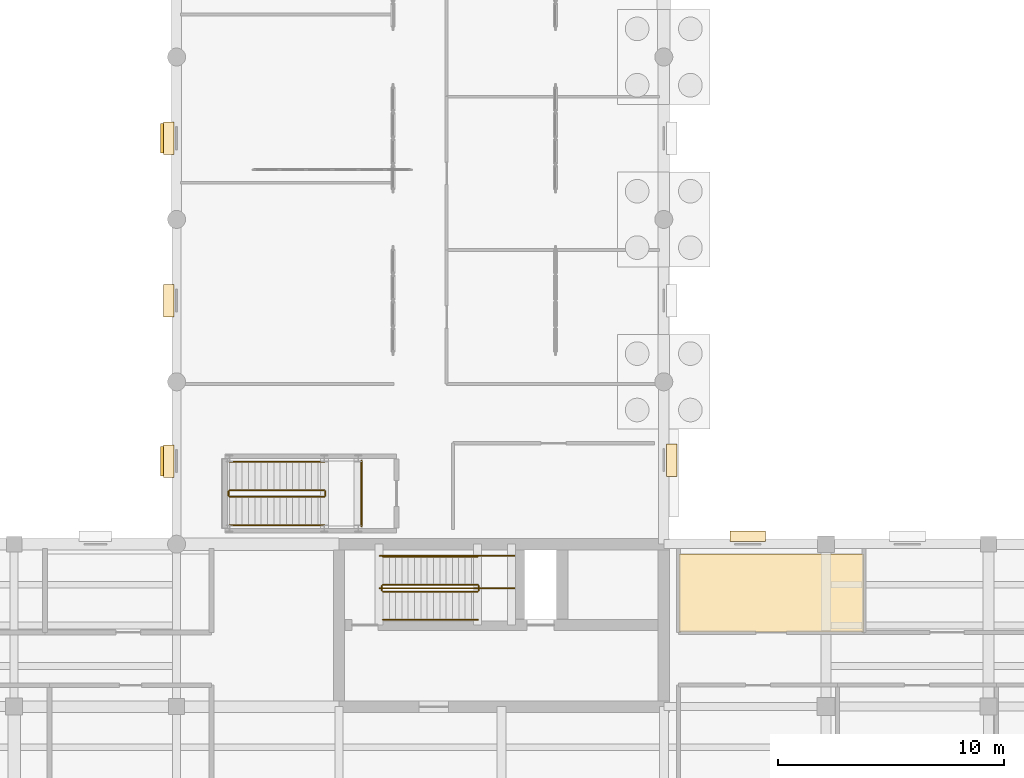
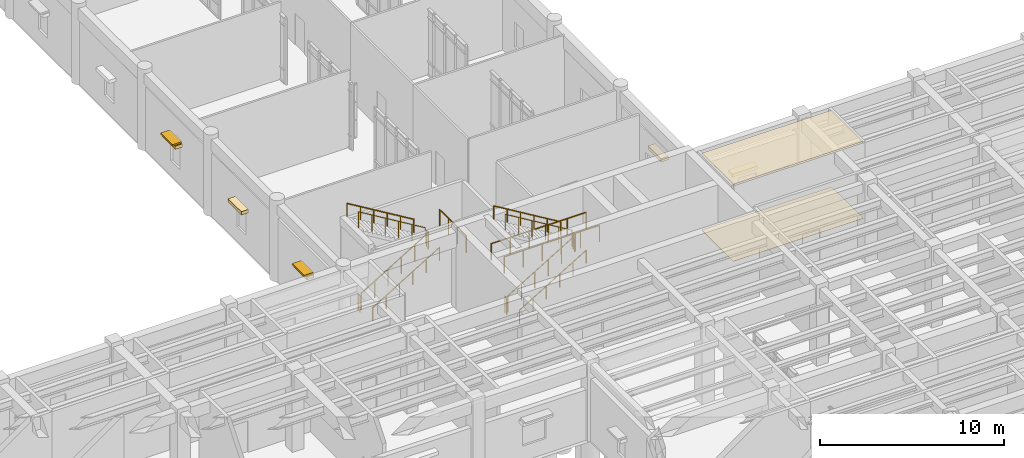
# One storey, part 91 of 100: 15 railings, 7 coverings, 2 shading devices.
"""IFC4 building model written with IfcOpenShell, lengths in metres."""

from ifc_helpers import new_model, si_unit, direction, frame, origin, origin_2d, place, context, subcontext, project, spatial, polyline, rectangle, circle, outline, extrude, material, layer, layer_set, type_object, element, save


model = new_model("IFC4")

# Units and contexts
model_context = context("Model", 3, precision=1e-05, world=origin(), true_north=direction((0.0, 1.0)))
body_context = subcontext(model_context, "Body", "Model", "MODEL_VIEW")
ifc_project = project(units=[si_unit("LENGTHUNIT", "METRE"), si_unit("AREAUNIT", "SQUARE_METRE"), si_unit("VOLUMEUNIT", "CUBIC_METRE"), si_unit("PLANEANGLEUNIT", "RADIAN"), si_unit("MASSUNIT", "GRAM", prefix="KILO")], contexts=[model_context])

# Site, building, storey
site_placement = place(None, origin())
site = spatial("IfcSite", under=ifc_project, at=site_placement, CompositionType="ELEMENT")
building_placement = place(site_placement, origin())
building = spatial("IfcBuilding", under=site, at=building_placement, Name="Mithqara Police Headquarters", CompositionType="ELEMENT")
storey_placement = place(building_placement, origin())
storey = spatial("IfcBuildingStorey", under=building, at=storey_placement, Name="L00", CompositionType="ELEMENT", Elevation=0.0)

# Covering
ifc_material_1 = material(Name="Acoustic mineral-fibre ceiling tile", Category="gypsum")
ifc_layer_1 = layer(ifc_material_1, 0.02490234375, Name="Acoustic mineral-fibre ceiling tile")
ifc_layer_set_1 = layer_set([ifc_layer_1], Name="Acoustic mineral-fibre ceiling tile")
covering_type_1 = type_object("IfcCoveringType", Name="ACOUSTIC CEILING TILE", PredefinedType="CEILING", material=ifc_layer_set_1)
covering_1_placement = place(storey_placement, frame((0.0, 0.0, 5.094970703125)))
element("IfcCovering", 1, at=covering_1_placement, inside=storey, type_object=covering_type_1, Name="Victim Support Consultation Room Acoustic Ceiling", PredefinedType="CEILING", context=body_context, shape_type="SweptSolid", body=[
    extrude(outline(polyline([(94.8701171875, 31.510009765625), (103.052001953125, 31.510009765625), (103.052001953125, 34.9599609375), (94.8701171875, 34.9599609375), (94.8701171875, 31.510009765625)])), origin(), (0.0, 0.0, 1.0), 0.025146484375),
])

# Railings
ifc_material_2 = material(Name="Bronze anodised aluminium 6063-T6", Category="aluminium")
railing_type_1 = type_object("IfcRailingType", Name="GUARD BALUSTRADE1120", PredefinedType="BALUSTRADE", material=ifc_material_2)
railing_1_placement = place(storey_placement, frame((80.800048828125, 39.10009765625, 2.699951171875)))
element("IfcRailing", 2, at=railing_1_placement, inside=storey, type_object=railing_type_1, Name="L00 Gallery Stair ST-05 Half-Landing Guard", PredefinedType="BALUSTRADE", context=body_context, shape_type="SweptSolid", body=[
    extrude(circle(Radius=0.02392578125, at=origin_2d()), frame((0.0, 0.0, 1.09619140625), z_axis=(0.0, -1.0, 0.0), x_axis=(1.0, 0.0, 0.0)), (0.0, 0.0, 1.0), 2.900146484375),
    extrude(circle(Radius=0.02099609375, at=origin_2d()), origin(), (0.0, 0.0, 1.0), 1.072021484375),
    extrude(circle(Radius=0.02099609375, at=origin_2d()), frame((0.0, -0.966796875, 0.0)), (0.0, 0.0, 1.0), 1.072021484375),
    extrude(circle(Radius=0.02099609375, at=origin_2d()), frame((0.0, -1.933349609375, 0.0)), (0.0, 0.0, 1.0), 1.072021484375),
    extrude(circle(Radius=0.02099609375, at=origin_2d()), frame((0.0, -2.900146484375, 0.0)), (0.0, 0.0, 1.0), 1.072021484375),
])
ifc_material_3 = material(Name="Steel S355JR", Category="steel")
railing_type_2 = type_object("IfcRailingType", Name="HANDRAIL 920", PredefinedType="HANDRAIL", material=ifc_material_3)
railing_2_placement = place(storey_placement, frame((81.75, 32.050048828125, 0.168701171875)))
element("IfcRailing", 3, at=railing_2_placement, inside=storey, type_object=railing_type_2, Name="L00 ST-07 stair handrail 1", PredefinedType="HANDRAIL", context=body_context, shape_type="SweptSolid", body=[
    extrude(circle(Radius=0.02392578125, at=origin_2d()), frame((0.0, 0.0, 0.8759765625), z_axis=(0.856476492594, 0.0, 0.516186030065), x_axis=(0.0, 1.0, 0.0)), (0.0, 0.0, 1.0), 4.90380859375),
    extrude(circle(Radius=0.02099609375, at=origin_2d()), origin(), (0.0, 0.0, 1.0), 0.851806640625),
    extrude(circle(Radius=0.02099609375, at=origin_2d()), frame((0.840087890625, 0.0, 0.50634765625)), (0.0, 0.0, 1.0), 0.851806640625),
    extrude(circle(Radius=0.02099609375, at=origin_2d()), frame((1.679931640625, 0.0, 1.012451171875)), (0.0, 0.0, 1.0), 0.851806640625),
    extrude(circle(Radius=0.02099609375, at=origin_2d()), frame((2.52001953125, 0.0, 1.518798828125)), (0.0, 0.0, 1.0), 0.851806640625),
    extrude(circle(Radius=0.02099609375, at=origin_2d()), frame((3.35986328125, 0.0, 2.02490234375)), (0.0, 0.0, 1.0), 0.851806640625),
    extrude(circle(Radius=0.02099609375, at=origin_2d()), frame((4.199951171875, 0.0, 2.53125)), (0.0, 0.0, 1.0), 0.851806640625),
])
railing_3_placement = place(storey_placement, frame((85.949951171875, 34.85009765625, 2.86865234375)))
element("IfcRailing", 4, at=railing_3_placement, inside=storey, type_object=railing_type_2, Name="L00 ST-07 stair handrail 2", PredefinedType="HANDRAIL", context=body_context, shape_type="SweptSolid", body=[
    extrude(circle(Radius=0.02392578125, at=origin_2d()), frame((0.0, 0.0, 0.8759765625), z_axis=(-0.856476492594, 0.0, 0.516186030065), x_axis=(0.0, -1.0, 0.0)), (0.0, 0.0, 1.0), 4.90380859375),
    extrude(circle(Radius=0.02099609375, at=origin_2d()), origin(), (0.0, 0.0, 1.0), 0.851806640625),
    extrude(circle(Radius=0.02099609375, at=origin_2d()), frame((-0.840087890625, 0.0, 0.50634765625)), (0.0, 0.0, 1.0), 0.851806640625),
    extrude(circle(Radius=0.02099609375, at=origin_2d()), frame((-1.679931640625, 0.0, 1.012451171875)), (0.0, 0.0, 1.0), 0.851806640625),
    extrude(circle(Radius=0.02099609375, at=origin_2d()), frame((-2.52001953125, 0.0, 1.518798828125)), (0.0, 0.0, 1.0), 0.851806640625),
    extrude(circle(Radius=0.02099609375, at=origin_2d()), frame((-3.35986328125, 0.0, 2.02490234375)), (0.0, 0.0, 1.0), 0.851806640625),
    extrude(circle(Radius=0.02099609375, at=origin_2d()), frame((-4.199951171875, 0.0, 2.53125)), (0.0, 0.0, 1.0), 0.851806640625),
])
railing_4_placement = place(storey_placement, frame((74.949951171875, 36.25, 0.168701171875)))
element("IfcRailing", 5, at=railing_4_placement, inside=storey, type_object=railing_type_2, Name="L00 ST-05 stair handrail 1", PredefinedType="HANDRAIL", context=body_context, shape_type="SweptSolid", body=[
    extrude(circle(Radius=0.02392578125, at=origin_2d()), frame((0.0, 0.0, 0.8759765625), z_axis=(0.856476492594, 0.0, 0.516186030065), x_axis=(0.0, 1.0, 0.0)), (0.0, 0.0, 1.0), 4.90380859375),
    extrude(circle(Radius=0.02099609375, at=origin_2d()), origin(), (0.0, 0.0, 1.0), 0.851806640625),
    extrude(circle(Radius=0.02099609375, at=origin_2d()), frame((0.840087890625, 0.0, 0.50634765625)), (0.0, 0.0, 1.0), 0.851806640625),
    extrude(circle(Radius=0.02099609375, at=origin_2d()), frame((1.679931640625, 0.0, 1.012451171875)), (0.0, 0.0, 1.0), 0.851806640625),
    extrude(circle(Radius=0.02099609375, at=origin_2d()), frame((2.52001953125, 0.0, 1.518798828125)), (0.0, 0.0, 1.0), 0.851806640625),
    extrude(circle(Radius=0.02099609375, at=origin_2d()), frame((3.35986328125, 0.0, 2.02490234375)), (0.0, 0.0, 1.0), 0.851806640625),
    extrude(circle(Radius=0.02099609375, at=origin_2d()), frame((4.199951171875, 0.0, 2.53125)), (0.0, 0.0, 1.0), 0.851806640625),
])
railing_5_placement = place(storey_placement, frame((79.14990234375, 39.050048828125, 2.86865234375)))
element("IfcRailing", 6, at=railing_5_placement, inside=storey, type_object=railing_type_2, Name="L00 ST-05 stair handrail 2", PredefinedType="HANDRAIL", context=body_context, shape_type="SweptSolid", body=[
    extrude(circle(Radius=0.02392578125, at=origin_2d()), frame((0.0, 0.0, 0.8759765625), z_axis=(-0.856476492594, 0.0, 0.516186030065), x_axis=(0.0, -1.0, 0.0)), (0.0, 0.0, 1.0), 4.90380859375),
    extrude(circle(Radius=0.02099609375, at=origin_2d()), origin(), (0.0, 0.0, 1.0), 0.851806640625),
    extrude(circle(Radius=0.02099609375, at=origin_2d()), frame((-0.840087890625, 0.0, 0.50634765625)), (0.0, 0.0, 1.0), 0.851806640625),
    extrude(circle(Radius=0.02099609375, at=origin_2d()), frame((-1.679931640625, 0.0, 1.012451171875)), (0.0, 0.0, 1.0), 0.851806640625),
    extrude(circle(Radius=0.02099609375, at=origin_2d()), frame((-2.52001953125, 0.0, 1.518798828125)), (0.0, 0.0, 1.0), 0.851806640625),
    extrude(circle(Radius=0.02099609375, at=origin_2d()), frame((-3.35986328125, 0.0, 2.02490234375)), (0.0, 0.0, 1.0), 0.851806640625),
    extrude(circle(Radius=0.02099609375, at=origin_2d()), frame((-4.199951171875, 0.0, 2.53125)), (0.0, 0.0, 1.0), 0.851806640625),
])

# Shading devices
shading_device_type = type_object("IfcShadingDeviceType", Name="SOLAR LOUVRE BRONZE", PredefinedType="JALOUSIE", material=ifc_material_2)
for number, where, z_axis, x_axis, name in (
    (7, (72.18994140625, 39.080078125, 2.83984375), (0.0, 0.0, 1.0), (0.0, 1.0, 0.0), "L00 Window Solar Louvre Hood 4.1"),
    (8, (72.18994140625, 53.39990234375, 2.83984375), (0.0, 0.0, 1.0), (0.0, 1.0, 0.0), "L00 Window Solar Louvre Hood 4.3"),
):
    element("IfcShadingDevice", number, at=place(storey_placement, frame(where, z_axis=z_axis, x_axis=x_axis)), inside=storey, type_object=shading_device_type, Name=name, PredefinedType="JALOUSIE", context=body_context, shape_type="SweptSolid", body=[
        extrude(rectangle(XDim=1.300048828125, YDim=0.60009765625, at=origin_2d()), origin(), (0.0, 0.0, 1.0), 0.10009765625),
    ])

# Railings
railing_type_3 = type_object("IfcRailingType", Name="STAIR GUARD 1120", PredefinedType="GUARDRAIL", material=ifc_material_3)
railing_6_placement = place(storey_placement, frame((81.75, 33.300048828125, 0.168701171875)))
element("IfcRailing", 9, at=railing_6_placement, inside=storey, type_object=railing_type_3, Name="L00 ST-07 stair guard 1", PredefinedType="GUARDRAIL", context=body_context, shape_type="SweptSolid", body=[
    extrude(circle(Radius=0.02392578125, at=origin_2d()), frame((0.0, 0.0, 1.076171875), z_axis=(0.856476492594, 0.0, 0.516186030065), x_axis=(0.0, 1.0, 0.0)), (0.0, 0.0, 1.0), 4.90380859375),
    extrude(circle(Radius=0.02099609375, at=origin_2d()), origin(), (0.0, 0.0, 1.0), 1.052001953125),
    extrude(circle(Radius=0.02099609375, at=origin_2d()), frame((0.840087890625, 0.0, 0.50634765625)), (0.0, 0.0, 1.0), 1.052001953125),
    extrude(circle(Radius=0.02099609375, at=origin_2d()), frame((1.679931640625, 0.0, 1.012451171875)), (0.0, 0.0, 1.0), 1.052001953125),
    extrude(circle(Radius=0.02099609375, at=origin_2d()), frame((2.52001953125, 0.0, 1.518798828125)), (0.0, 0.0, 1.0), 1.052001953125),
    extrude(circle(Radius=0.02099609375, at=origin_2d()), frame((3.35986328125, 0.0, 2.02490234375)), (0.0, 0.0, 1.0), 1.052001953125),
    extrude(circle(Radius=0.02099609375, at=origin_2d()), frame((4.199951171875, 0.0, 2.53125)), (0.0, 0.0, 1.0), 1.052001953125),
])
railing_7_placement = place(storey_placement, frame((86.0, 33.35009765625, 2.699951171875)))
element("IfcRailing", 10, at=railing_7_placement, inside=storey, type_object=railing_type_3, Name="L00 ST-07 stair guard 2", PredefinedType="GUARDRAIL", context=body_context, shape_type="SweptSolid", body=[
    extrude(circle(Radius=0.02392578125, at=origin_2d()), frame((0.0, 0.0, 1.076171875), z_axis=(0.0, 1.0, 0.0), x_axis=(-1.0, 0.0, 0.0)), (0.0, 0.0, 1.0), 0.199951171875),
    extrude(circle(Radius=0.02099609375, at=origin_2d()), origin(), (0.0, 0.0, 1.0), 1.052001953125),
    extrude(circle(Radius=0.02099609375, at=origin_2d()), frame((0.0, 0.199951171875, 0.0)), (0.0, 0.0, 1.0), 1.052001953125),
])
railing_8_placement = place(storey_placement, frame((85.949951171875, 33.60009765625, 2.86865234375)))
element("IfcRailing", 11, at=railing_8_placement, inside=storey, type_object=railing_type_3, Name="L00 ST-07 stair guard 3", PredefinedType="GUARDRAIL", context=body_context, shape_type="SweptSolid", body=[
    extrude(circle(Radius=0.02392578125, at=origin_2d()), frame((0.0, 0.0, 1.076171875), z_axis=(-0.856476492594, 0.0, 0.516186030065), x_axis=(0.0, -1.0, 0.0)), (0.0, 0.0, 1.0), 4.90380859375),
    extrude(circle(Radius=0.02099609375, at=origin_2d()), origin(), (0.0, 0.0, 1.0), 1.052001953125),
    extrude(circle(Radius=0.02099609375, at=origin_2d()), frame((-0.840087890625, 0.0, 0.50634765625)), (0.0, 0.0, 1.0), 1.052001953125),
    extrude(circle(Radius=0.02099609375, at=origin_2d()), frame((-1.679931640625, 0.0, 1.012451171875)), (0.0, 0.0, 1.0), 1.052001953125),
    extrude(circle(Radius=0.02099609375, at=origin_2d()), frame((-2.52001953125, 0.0, 1.518798828125)), (0.0, 0.0, 1.0), 1.052001953125),
    extrude(circle(Radius=0.02099609375, at=origin_2d()), frame((-3.35986328125, 0.0, 2.02490234375)), (0.0, 0.0, 1.0), 1.052001953125),
    extrude(circle(Radius=0.02099609375, at=origin_2d()), frame((-4.199951171875, 0.0, 2.53125)), (0.0, 0.0, 1.0), 1.052001953125),
])
railing_9_placement = place(storey_placement, frame((81.699951171875, 33.35009765625, 0.0)))
element("IfcRailing", 12, at=railing_9_placement, inside=storey, type_object=railing_type_3, Name="L00 ST-07 stair guard 4", PredefinedType="GUARDRAIL", context=body_context, shape_type="SweptSolid", body=[
    extrude(circle(Radius=0.02392578125, at=origin_2d()), frame((0.0, 0.0, 1.076171875), z_axis=(0.0, 1.0, 0.0), x_axis=(-1.0, 0.0, 0.0)), (0.0, 0.0, 1.0), 0.199951171875),
    extrude(circle(Radius=0.02099609375, at=origin_2d()), origin(), (0.0, 0.0, 1.0), 1.052001953125),
    extrude(circle(Radius=0.02099609375, at=origin_2d()), frame((0.0, 0.199951171875, 0.0)), (0.0, 0.0, 1.0), 1.052001953125),
])
for number, where, name in (
    (13, (81.60009765625, 33.449951171875, 2.699951171875), "L00 ST-07 Half-Landing Guard IN"),
    (14, (81.60009765625, 34.8798828125, 2.699951171875), "L00 ST-07 Half-Landing Guard OUT"),
):
    element("IfcRailing", number, at=place(storey_placement, frame(where)), inside=storey, type_object=railing_type_3, Name=name, PredefinedType="GUARDRAIL", context=body_context, shape_type="SweptSolid", body=[
        extrude(circle(Radius=0.02392578125, at=origin_2d()), frame((0.0, 0.0, 1.09619140625), z_axis=(1.0, 0.0, 0.0), x_axis=(0.0, 1.0, 0.0)), (0.0, 0.0, 1.0), 5.97998046875),
        extrude(circle(Radius=0.02099609375, at=origin_2d()), origin(), (0.0, 0.0, 1.0), 1.072021484375),
        extrude(circle(Radius=0.02099609375, at=origin_2d()), frame((1.196044921875, 0.0, 0.0)), (0.0, 0.0, 1.0), 1.072021484375),
        extrude(circle(Radius=0.02099609375, at=origin_2d()), frame((2.39208984375, 0.0, 0.0)), (0.0, 0.0, 1.0), 1.072021484375),
        extrude(circle(Radius=0.02099609375, at=origin_2d()), frame((3.587890625, 0.0, 0.0)), (0.0, 0.0, 1.0), 1.072021484375),
        extrude(circle(Radius=0.02099609375, at=origin_2d()), frame((4.783935546875, 0.0, 0.0)), (0.0, 0.0, 1.0), 1.072021484375),
        extrude(circle(Radius=0.02099609375, at=origin_2d()), frame((5.97998046875, 0.0, 0.0)), (0.0, 0.0, 1.0), 1.072021484375),
    ])
railing_10_placement = place(storey_placement, frame((74.949951171875, 37.5, 0.168701171875)))
element("IfcRailing", 15, at=railing_10_placement, inside=storey, type_object=railing_type_3, Name="L00 ST-05 stair guard 1", PredefinedType="GUARDRAIL", context=body_context, shape_type="SweptSolid", body=[
    extrude(circle(Radius=0.02392578125, at=origin_2d()), frame((0.0, 0.0, 1.076171875), z_axis=(0.856476492594, 0.0, 0.516186030065), x_axis=(0.0, 1.0, 0.0)), (0.0, 0.0, 1.0), 4.90380859375),
    extrude(circle(Radius=0.02099609375, at=origin_2d()), origin(), (0.0, 0.0, 1.0), 1.052001953125),
    extrude(circle(Radius=0.02099609375, at=origin_2d()), frame((0.840087890625, 0.0, 0.50634765625)), (0.0, 0.0, 1.0), 1.052001953125),
    extrude(circle(Radius=0.02099609375, at=origin_2d()), frame((1.679931640625, 0.0, 1.012451171875)), (0.0, 0.0, 1.0), 1.052001953125),
    extrude(circle(Radius=0.02099609375, at=origin_2d()), frame((2.52001953125, 0.0, 1.518798828125)), (0.0, 0.0, 1.0), 1.052001953125),
    extrude(circle(Radius=0.02099609375, at=origin_2d()), frame((3.35986328125, 0.0, 2.02490234375)), (0.0, 0.0, 1.0), 1.052001953125),
    extrude(circle(Radius=0.02099609375, at=origin_2d()), frame((4.199951171875, 0.0, 2.53125)), (0.0, 0.0, 1.0), 1.052001953125),
])
railing_11_placement = place(storey_placement, frame((79.199951171875, 37.550048828125, 2.699951171875)))
element("IfcRailing", 16, at=railing_11_placement, inside=storey, type_object=railing_type_3, Name="L00 ST-05 stair guard 2", PredefinedType="GUARDRAIL", context=body_context, shape_type="SweptSolid", body=[
    extrude(circle(Radius=0.02392578125, at=origin_2d()), frame((0.0, 0.0, 1.076171875), z_axis=(0.0, 1.0, 0.0), x_axis=(-1.0, 0.0, 0.0)), (0.0, 0.0, 1.0), 0.199951171875),
    extrude(circle(Radius=0.02099609375, at=origin_2d()), origin(), (0.0, 0.0, 1.0), 1.052001953125),
    extrude(circle(Radius=0.02099609375, at=origin_2d()), frame((0.0, 0.199951171875, 0.0)), (0.0, 0.0, 1.0), 1.052001953125),
])
railing_12_placement = place(storey_placement, frame((79.14990234375, 37.800048828125, 2.86865234375)))
element("IfcRailing", 17, at=railing_12_placement, inside=storey, type_object=railing_type_3, Name="L00 ST-05 stair guard 3", PredefinedType="GUARDRAIL", context=body_context, shape_type="SweptSolid", body=[
    extrude(circle(Radius=0.02392578125, at=origin_2d()), frame((0.0, 0.0, 1.076171875), z_axis=(-0.856476492594, 0.0, 0.516186030065), x_axis=(0.0, -1.0, 0.0)), (0.0, 0.0, 1.0), 4.90380859375),
    extrude(circle(Radius=0.02099609375, at=origin_2d()), origin(), (0.0, 0.0, 1.0), 1.052001953125),
    extrude(circle(Radius=0.02099609375, at=origin_2d()), frame((-0.840087890625, 0.0, 0.50634765625)), (0.0, 0.0, 1.0), 1.052001953125),
    extrude(circle(Radius=0.02099609375, at=origin_2d()), frame((-1.679931640625, 0.0, 1.012451171875)), (0.0, 0.0, 1.0), 1.052001953125),
    extrude(circle(Radius=0.02099609375, at=origin_2d()), frame((-2.52001953125, 0.0, 1.518798828125)), (0.0, 0.0, 1.0), 1.052001953125),
    extrude(circle(Radius=0.02099609375, at=origin_2d()), frame((-3.35986328125, 0.0, 2.02490234375)), (0.0, 0.0, 1.0), 1.052001953125),
    extrude(circle(Radius=0.02099609375, at=origin_2d()), frame((-4.199951171875, 0.0, 2.53125)), (0.0, 0.0, 1.0), 1.052001953125),
])
railing_13_placement = place(storey_placement, frame((74.89990234375, 37.550048828125, 0.0)))
element("IfcRailing", 18, at=railing_13_placement, inside=storey, type_object=railing_type_3, Name="L00 ST-05 stair guard 4", PredefinedType="GUARDRAIL", context=body_context, shape_type="SweptSolid", body=[
    extrude(circle(Radius=0.02392578125, at=origin_2d()), frame((0.0, 0.0, 1.076171875), z_axis=(0.0, 1.0, 0.0), x_axis=(-1.0, 0.0, 0.0)), (0.0, 0.0, 1.0), 0.199951171875),
    extrude(circle(Radius=0.02099609375, at=origin_2d()), origin(), (0.0, 0.0, 1.0), 1.052001953125),
    extrude(circle(Radius=0.02099609375, at=origin_2d()), frame((0.0, 0.199951171875, 0.0)), (0.0, 0.0, 1.0), 1.052001953125),
])

# Coverings
ifc_material_4 = material(Name="Polished limestone terrazzo flooring", Category="masonry")
ifc_layer_2 = layer(ifc_material_4, 0.02001953125, Name="Polished limestone terrazzo flooring")
ifc_layer_set_2 = layer_set([ifc_layer_2], Name="Polished limestone terrazzo flooring")
covering_type_2 = type_object("IfcCoveringType", Name="TERRAZZO FLOOR FINISH", PredefinedType="FLOORING", material=ifc_layer_set_2)
covering_2_placement = place(storey_placement, origin())
element("IfcCovering", 19, at=covering_2_placement, inside=storey, type_object=covering_type_2, Name="Victim Support Consultation Room Terrazzo Floor Finish", PredefinedType="FLOORING", context=body_context, shape_type="SweptSolid", body=[
    extrude(outline(polyline([(94.8701171875, 31.510009765625), (103.052001953125, 31.510009765625), (103.052001953125, 34.9599609375), (94.8701171875, 34.9599609375), (94.8701171875, 31.510009765625)])), origin(), (0.0, 0.0, 1.0), 0.02001953125),
])
ifc_material_5 = material(Name="Limestone ashlar masonry, 45 MPa", Category="masonry")
ifc_layer_3 = layer(ifc_material_5, 0.239990234375, Name="Limestone ashlar masonry, 45 MPa")
ifc_layer_set_3 = layer_set([ifc_layer_3], Name="Limestone ashlar masonry, 45 MPa")
covering_type_3 = type_object("IfcCoveringType", Name="WINDOW HOOD LIMESTONE", PredefinedType="CLADDING", material=ifc_layer_set_3)
for number, where, z_axis, x_axis, name in (
    (20, (72.25, 39.080078125, 2.6201171875), (0.0, 0.0, 1.0), (0.0, 1.0, 0.0), "L00 Limestone Window Architrave Hood 4.1"),
    (21, (72.25, 46.199951171875, 2.6201171875), (0.0, 0.0, 1.0), (0.0, 1.0, 0.0), "L00 Limestone Window Architrave Hood 4.2"),
    (22, (72.25, 53.39990234375, 2.6201171875), (0.0, 0.0, 1.0), (0.0, 1.0, 0.0), "L00 Limestone Window Architrave Hood 4.3"),
    (23, (94.550048828125, 39.125, 2.6201171875), (0.0, 0.0, 1.0), (0.0, 1.0, 0.0), "L00 Limestone Window Architrave Hood 1.1"),
):
    element("IfcCovering", number, at=place(storey_placement, frame(where, z_axis=z_axis, x_axis=x_axis)), inside=storey, type_object=covering_type_3, Name=name, PredefinedType="CLADDING", context=body_context, shape_type="SweptSolid", body=[
        extrude(rectangle(XDim=1.43994140625, YDim=0.4599609375, at=origin_2d()), origin(), (0.0, 0.0, 1.0), 0.219970703125),
    ])
covering_3_placement = place(storey_placement, frame((97.925048828125, 35.75, 2.3701171875), z_axis=(0.0, 0.0, 1.0), x_axis=(1.0, 0.0, 0.0)))
element("IfcCovering", 24, at=covering_3_placement, inside=storey, type_object=covering_type_3, Name="L00 Limestone Window Architrave Hood 5.1", PredefinedType="CLADDING", context=body_context, shape_type="SweptSolid", body=[
    extrude(rectangle(XDim=1.590087890625, YDim=0.4599609375, at=origin_2d()), origin(), (0.0, 0.0, 1.0), 0.219970703125),
])

save(model, "model.ifc")
